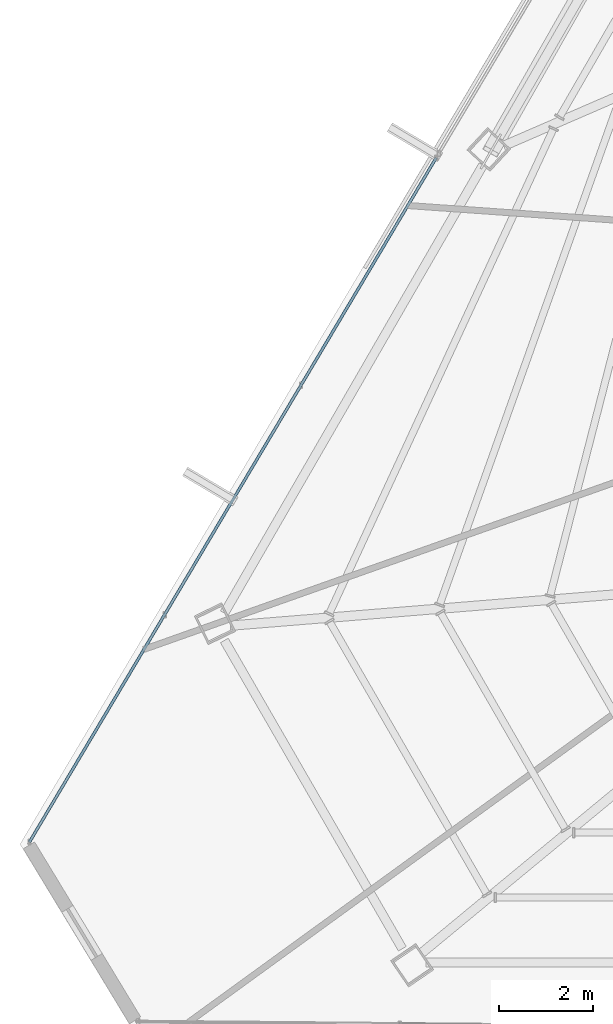
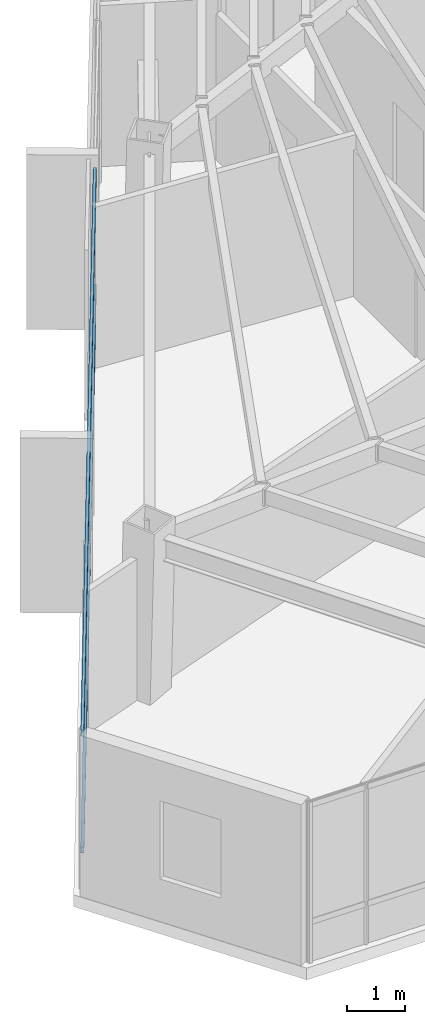
# One storey, part 8 of 45: 2 members, 1 element without a shape of its own.
"""IFC4 building model written with IfcOpenShell, lengths in metres."""

from ifc_helpers import new_model, si_unit, direction, frame, origin, origin_2d, place, context, subcontext, project, spatial, hollow_rectangle, extrude, source, transform, mapped, material, material_profile, profile_set, type_object, type_shapes, element, aggregate, save


model = new_model("IFC4")

# Units and contexts
model_context = context("Model", 3, precision=1e-05, world=origin(), true_north=direction((0.0, 1.0)))
body_context = subcontext(model_context, "Body", "Model", "MODEL_VIEW")
ifc_project = project(units=[si_unit("LENGTHUNIT", "METRE"), si_unit("AREAUNIT", "SQUARE_METRE"), si_unit("VOLUMEUNIT", "CUBIC_METRE"), si_unit("PLANEANGLEUNIT", "RADIAN"), si_unit("MASSUNIT", "GRAM", prefix="KILO")], contexts=[model_context])

# Site, building, storey
site_placement = place(None, origin())
site = spatial("IfcSite", under=ifc_project, at=site_placement, CompositionType="ELEMENT")
building_placement = place(site_placement, origin())
building = spatial("IfcBuilding", under=site, at=building_placement, Name="Caelisora Broadcast Tower", CompositionType="ELEMENT")
storey_placement = place(building_placement, frame((0.0, 0.0, 240.800048828125)))
storey = spatial("IfcBuildingStorey", under=building, at=storey_placement, Name="L63", CompositionType="ELEMENT", Elevation=240.800048828125)

# Curtain wall, members
ifc_material_1 = material(Name="Unitised Aluminium and Low-E Glass Curtain Wall", Category="glass")
curtain_wall_type = type_object("IfcCurtainWallType", Name="CW-Z5", PredefinedType="NOTDEFINED", material=ifc_material_1)
curtain_wall_placement = place(storey_placement, origin())
curtain_wall = element("IfcCurtainWall", 1, at=curtain_wall_placement, inside=storey, type_object=curtain_wall_type, Name="L63 curtain wall CW-Z5", PredefinedType="NOTDEFINED")
ifc_material_2 = material(Name="Aluminium 6063-T6 Anodised Terracotta Bronze", Category="aluminium")
ifc_material_profile = material_profile(ifc_material_2, hollow_rectangle(XDim=0.06005859375, YDim=0.1201171875, WallThickness=0.0029296875, at=origin_2d()), Name="Aluminium 6063-T6 Anodised Terracotta Bronze")
ifc_profile_set = profile_set([ifc_material_profile], Name="Aluminium 6063-T6 Anodised Terracotta Bronze")
member_type = type_object("IfcMemberType", Name="CWT-03", PredefinedType="USERDEFINED", material=ifc_profile_set)
shared_shape = source(origin(), body_context, "Body", "SweptSolid", [
    extrude(hollow_rectangle(XDim=0.06005859375, YDim=0.1201171875, WallThickness=0.0029296875, at=origin_2d()), origin(), (0.0, 0.0, 1.0), 16.970458984375),
])
type_shapes(member_type, [shared_shape])
member_1_placement = place(storey_placement, frame((12.32861328125, 11.659912109375, 0.849853515625), z_axis=(0.510956175466, 0.859606762859, 0.0), x_axis=(-0.859606762859, 0.510956175466, 0.0)))
member_1 = element("IfcMember", 2, at=member_1_placement, type_object=member_type, Name="L63-CW-B09 transom #1", ObjectType="TRANSOM", PredefinedType="USERDEFINED", context=body_context, shape_type="MappedRepresentation", body=[
    mapped(shared_shape, transform((0.0, 0.0, 0.0), scale=1.0)),
])
member_2_placement = place(storey_placement, frame((12.32861328125, 11.659912109375, 3.320068359375), z_axis=(0.510956175466, 0.859606762859, 0.0), x_axis=(-0.859606762859, 0.510956175466, 0.0)))
member_2 = element("IfcMember", 3, at=member_2_placement, type_object=member_type, Name="L63-CW-B09 transom #2", ObjectType="TRANSOM", PredefinedType="USERDEFINED", context=body_context, shape_type="MappedRepresentation", body=[
    mapped(shared_shape, transform((0.0, 0.0, 0.0), scale=1.0)),
])
aggregate(curtain_wall, [member_1, member_2])

save(model, "model.ifc")
